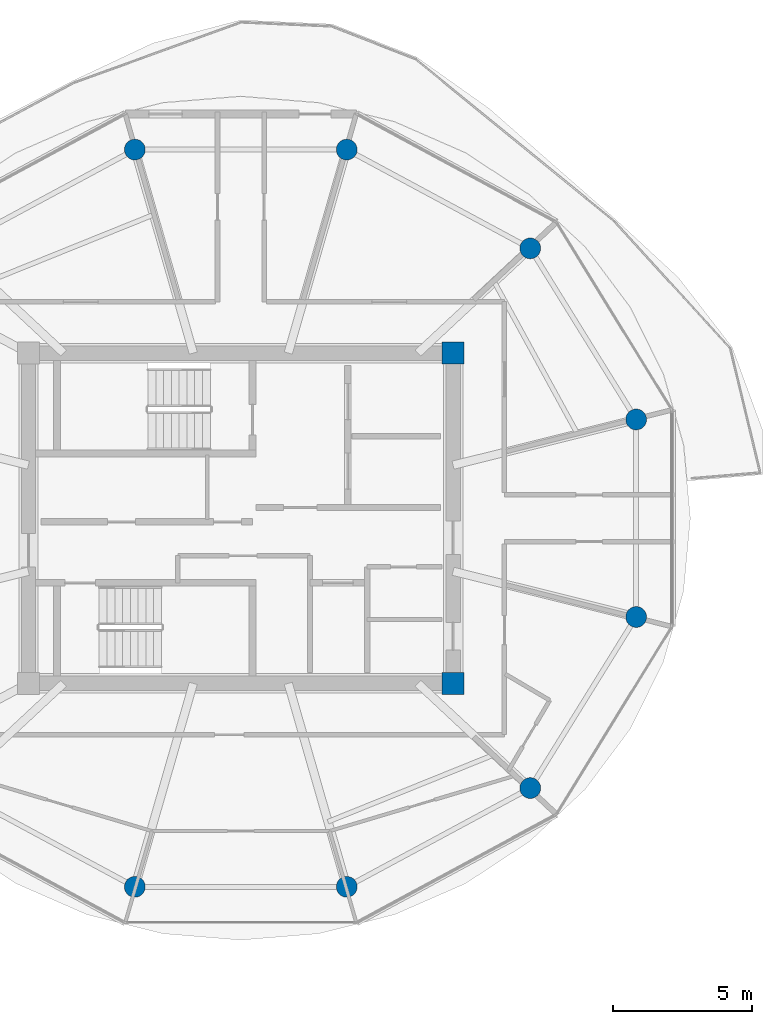
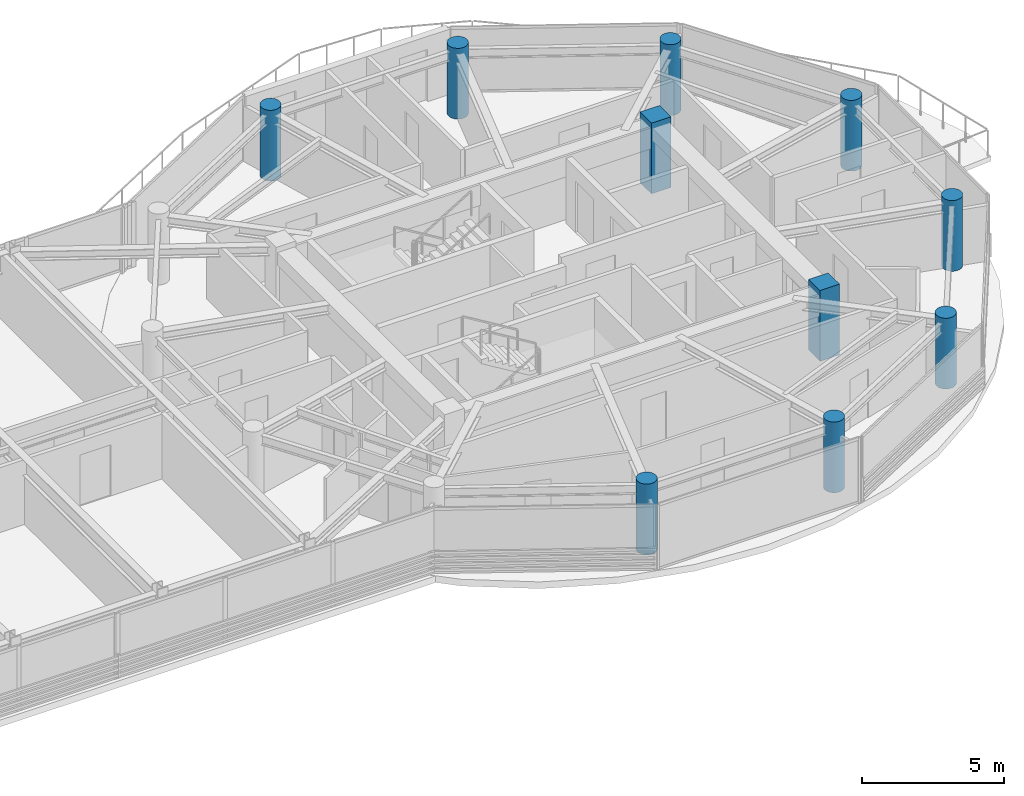
# One storey, part 2 of 23: 10 columns.
"""IFC4 building model written with IfcOpenShell, lengths in metres."""

from ifc_helpers import new_model, si_unit, direction, frame, origin, origin_2d, place, context, subcontext, project, spatial, rectangle, circle, extrude, source, transform, mapped, material, material_profile, profile_set, type_object, type_shapes, element, save


model = new_model("IFC4")

# Units and contexts
model_context = context("Model", 3, precision=1e-05, world=origin(), true_north=direction((0.0, 1.0)))
body_context = subcontext(model_context, "Body", "Model", "MODEL_VIEW")
ifc_project = project(units=[si_unit("LENGTHUNIT", "METRE"), si_unit("AREAUNIT", "SQUARE_METRE"), si_unit("VOLUMEUNIT", "CUBIC_METRE"), si_unit("PLANEANGLEUNIT", "RADIAN"), si_unit("MASSUNIT", "GRAM", prefix="KILO")], contexts=[model_context])

# Site, building, storey
site_placement = place(None, origin())
site = spatial("IfcSite", under=ifc_project, at=site_placement, CompositionType="ELEMENT")
building_placement = place(site_placement, origin())
building = spatial("IfcBuilding", under=site, at=building_placement, Name="Norrkilde Senior Care Towers", CompositionType="ELEMENT")
storey_placement = place(building_placement, frame((0.0, 0.0, 229.14990234375)))
storey = spatial("IfcBuildingStorey", under=building, at=storey_placement, Name="L71", CompositionType="ELEMENT", Elevation=229.14990234375)

# Columns
ifc_material_1 = material(Name="Concrete C60/75", Category="concrete")
ifc_material_profile_1 = material_profile(ifc_material_1, rectangle(XDim=0.800048828125, YDim=0.800048828125, at=origin_2d()), Name="RC COL 800x800")
ifc_profile_set_1 = profile_set([ifc_material_profile_1], Name="Concrete C60/75")
column_type_1 = type_object("IfcColumnType", Name="Column Core Corner Z3-Z4 800", PredefinedType="COLUMN", material=ifc_profile_set_1)
shared_shape_1 = source(origin(), body_context, "Body", "SweptSolid", [
    extrude(rectangle(XDim=0.800048828125, YDim=0.800048828125, at=origin_2d()), origin(), (0.0, 0.0, 1.0), 3.050048828125),
])
type_shapes(column_type_1, [shared_shape_1])
for number, where, z_axis, x_axis, name in (
    (1, (35.64990234375, -5.949951171875, 0.0), (0.0, 0.0, 1.0), (1.0, 0.0, 0.0), "L71 Core E Corner Column 2"),
    (2, (35.64990234375, 5.949951171875, 0.0), (0.0, 0.0, 1.0), (1.0, 0.0, 0.0), "L71 Core E Corner Column 3"),
):
    element("IfcColumn", number, at=place(storey_placement, frame(where, z_axis=z_axis, x_axis=x_axis)), inside=storey, type_object=column_type_1, Name=name, PredefinedType="COLUMN", context=body_context, shape_type="MappedRepresentation", body=[
        mapped(shared_shape_1, transform((0.0, 0.0, 0.0), x_axis=(1.0, 0.0, 0.0), y_axis=(0.0, 1.0, 0.0), z_axis=(0.0, 0.0, 1.0), scale=1.0)),
    ])
ifc_material_2 = material(Name="Concrete C50/60", Category="concrete")
ifc_material_profile_2 = material_profile(ifc_material_2, circle(Radius=0.375, at=origin_2d()), Name="RC CIR 750")
ifc_profile_set_2 = profile_set([ifc_material_profile_2], Name="Concrete C50/60")
column_type_2 = type_object("IfcColumnType", Name="Column Perimeter Z4 750", PredefinedType="COLUMN", material=ifc_profile_set_2)
shared_shape_2 = source(origin(), body_context, "Body", "SweptSolid", [
    extrude(circle(Radius=0.375, at=origin_2d()), origin(), (0.0, 0.0, 1.0), 3.050048828125),
])
type_shapes(column_type_2, [shared_shape_2])
for number, where, z_axis, x_axis, name in (
    (3, (42.247314453125, 3.558837890625, 0.0), (0.0, 0.0, 1.0), (1.0, 0.0, 0.0), "L71 Drum E Perimeter Column 01"),
    (4, (38.429931640625, 9.72265625, 0.0), (0.0, 0.0, 1.0), (1.0, 0.0, 0.0), "L71 Drum E Perimeter Column 02"),
    (5, (31.817626953125, 13.281494140625, 0.0), (0.0, 0.0, 1.0), (1.0, 0.0, 0.0), "L71 Drum E Perimeter Column 03"),
    (6, (24.182373046875, 13.281494140625, 0.0), (0.0, 0.0, 1.0), (1.0, 0.0, 0.0), "L71 Drum E Perimeter Column 04"),
    (7, (24.182373046875, -13.281494140625, 0.0), (0.0, 0.0, 1.0), (1.0, 0.0, 0.0), "L71 Drum E Perimeter Column 09"),
    (8, (31.817626953125, -13.281494140625, 0.0), (0.0, 0.0, 1.0), (1.0, 0.0, 0.0), "L71 Drum E Perimeter Column 10"),
    (9, (38.429931640625, -9.72265625, 0.0), (0.0, 0.0, 1.0), (1.0, 0.0, 0.0), "L71 Drum E Perimeter Column 11"),
    (10, (42.247314453125, -3.558837890625, 0.0), (0.0, 0.0, 1.0), (1.0, 0.0, 0.0), "L71 Drum E Perimeter Column 12"),
):
    element("IfcColumn", number, at=place(storey_placement, frame(where, z_axis=z_axis, x_axis=x_axis)), inside=storey, type_object=column_type_2, Name=name, PredefinedType="COLUMN", context=body_context, shape_type="MappedRepresentation", body=[
        mapped(shared_shape_2, transform((0.0, 0.0, 0.0), x_axis=(1.0, 0.0, 0.0), y_axis=(0.0, 1.0, 0.0), z_axis=(0.0, 0.0, 1.0), scale=1.0)),
    ])

save(model, "model.ifc")
